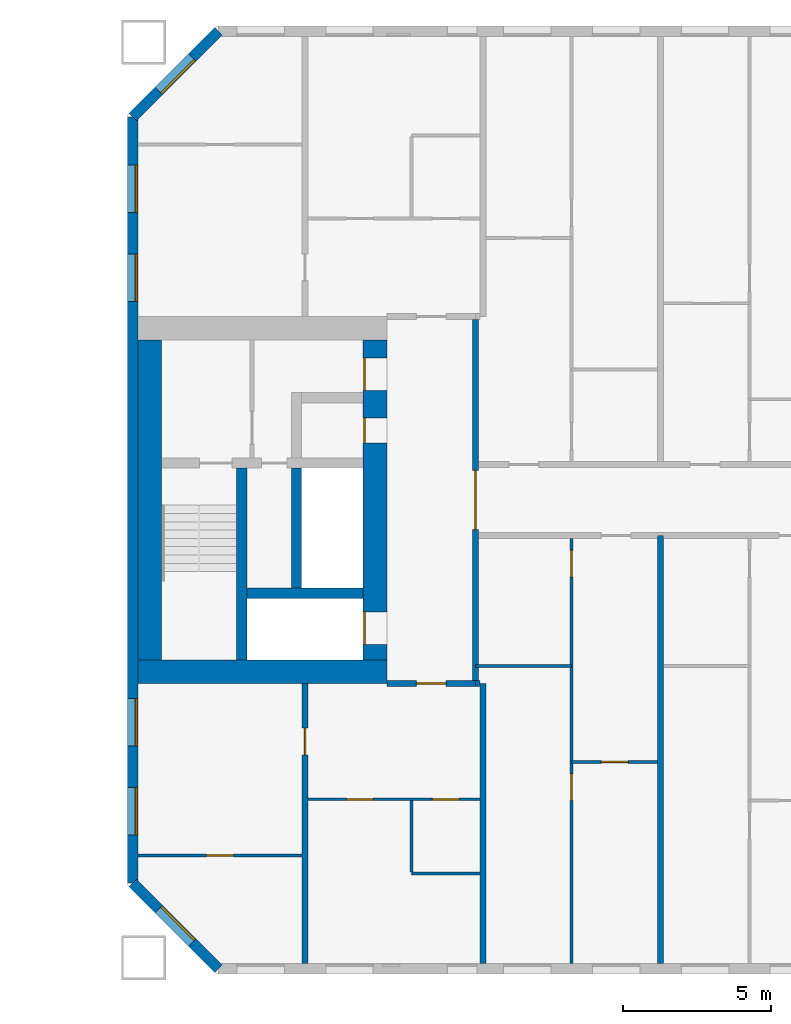
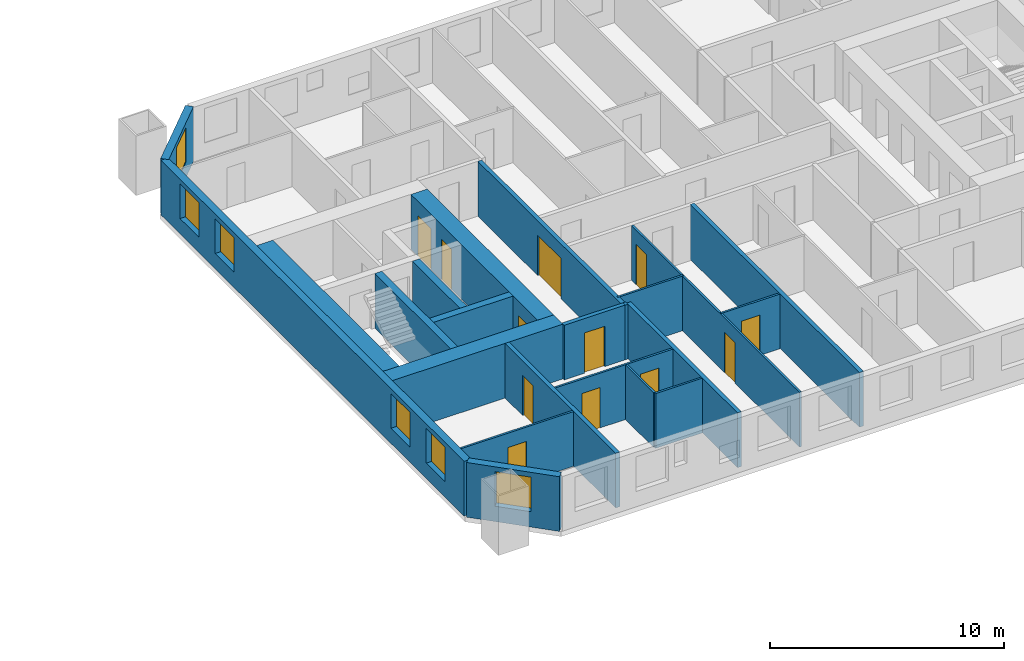
# One storey, part 9 of 17: 22 walls, 12 doors, 6 windows, 18 openings.
"""IFC4 building model written with IfcOpenShell, lengths in metres."""

from ifc_helpers import new_model, si_unit, direction, frame, frame_2d, origin, place, context, subcontext, project, spatial, rectangle, extrude, material, layer, layer_set, type_object, element, fill, save


model = new_model("IFC4")

# Units and contexts
model_context = context("Model", 3, precision=1e-05, world=origin(), true_north=direction((0.0, 1.0)))
body_context = subcontext(model_context, "Body", "Model", "MODEL_VIEW")
ifc_project = project(units=[si_unit("LENGTHUNIT", "METRE"), si_unit("AREAUNIT", "SQUARE_METRE"), si_unit("VOLUMEUNIT", "CUBIC_METRE"), si_unit("PLANEANGLEUNIT", "RADIAN"), si_unit("MASSUNIT", "GRAM", prefix="KILO")], contexts=[model_context])

# Site, building, storey
site_placement = place(None, origin())
site = spatial("IfcSite", under=ifc_project, at=site_placement, CompositionType="ELEMENT")
building_placement = place(site_placement, origin())
building = spatial("IfcBuilding", under=site, at=building_placement, Name="Tuart Gate Housing", CompositionType="ELEMENT")
storey_placement = place(building_placement, frame((0.0, 0.0, 50.5)))
storey = spatial("IfcBuildingStorey", under=building, at=storey_placement, Name="L13", CompositionType="ELEMENT", Elevation=50.5)

# Wall, opening, window
ifc_material_1 = material(Name="Brick", Category="masonry")
ifc_layer_1 = layer(ifc_material_1, 0.360107421875)
ifc_layer_set_1 = layer_set([ifc_layer_1], Name="Brick pier and spandrel wall 360")
wall_type_1 = type_object("IfcWallType", Name="Brick pier and spandrel wall 360", PredefinedType="STANDARD", material=ifc_layer_set_1)
wall_1_placement = place(storey_placement, frame((131.179931640625, 57.07470703125, 0.0), z_axis=(0.0, 0.0, 1.0), x_axis=(0.707106781187, -0.707106781187, 0.0)))
wall_1 = element("IfcWall", 1, at=wall_1_placement, inside=storey, type_object=wall_type_1, Name="External wall B-SW L13", PredefinedType="STANDARD", context=body_context, shape_type="SweptSolid", body=[
    extrude(rectangle(XDim=4.09375, YDim=0.360107421875, at=frame_2d((2.046875, 0.0))), origin(), (0.0, 0.0, 1.0), 2.85009765625),
])
opening_1_placement = place(wall_1_placement, frame((1.2470703125, 0.0, 0.800048828125)))
opening_1 = element("IfcOpeningElement", 2, at=opening_1_placement, cuts=wall_1, Name="Opening W1", PredefinedType="OPENING", context=body_context, shape_type="SweptSolid", body=[
    extrude(rectangle(XDim=1.60009765625, YDim=1.800048828125, at=frame_2d((0.800048828125, 0.89990234375))), frame((0.0, 0.18994140625, 0.0), z_axis=(0.0, -1.0, 0.0), x_axis=(1.0, 0.0, 0.0)), (0.0, 0.0, 1.0), 0.380126953125),
])
ifc_material_2 = material(Name="Aluminium frame with clear glass", Category="aluminium")
window_type = type_object("IfcWindowType", Name="Punched window 1600 x 1800", PartitioningType="SINGLE_PANEL", PredefinedType="WINDOW", material=ifc_material_2)
window_1_placement = place(opening_1_placement, origin())
window_1 = element("IfcWindow", 3, at=window_1_placement, inside=storey, type_object=window_type, Name="Window W1", OverallHeight=1.800048828125, OverallWidth=1.60009765625, PartitioningType="SINGLE_PANEL", PredefinedType="WINDOW", context=body_context, shape_type="SweptSolid", body=[
    extrude(rectangle(XDim=1.60009765625, YDim=1.800048828125, at=frame_2d((0.800048828125, 0.89990234375))), frame((0.0, 0.150146484375, 0.0), z_axis=(0.0, -1.0, 0.0), x_axis=(1.0, 0.0, 0.0)), (0.0, 0.0, 1.0), 0.06005859375),
])
fill(opening_1, window_1)

wall_2_placement = place(storey_placement, frame((134.07470703125, 85.820068359375, 0.0), z_axis=(0.0, 0.0, 1.0), x_axis=(-0.707106781187, -0.707106781187, 0.0)))
wall_2 = element("IfcWall", 4, at=wall_2_placement, inside=storey, type_object=wall_type_1, Name="External wall B-NW L13", PredefinedType="STANDARD", context=body_context, shape_type="SweptSolid", body=[
    extrude(rectangle(XDim=4.09375, YDim=0.360107421875, at=frame_2d((2.046875, 0.0))), origin(), (0.0, 0.0, 1.0), 2.85009765625),
])
opening_2_placement = place(wall_2_placement, frame((1.2470703125, 0.0, 0.800048828125)))
opening_2 = element("IfcOpeningElement", 5, at=opening_2_placement, cuts=wall_2, Name="Opening W1", PredefinedType="OPENING", context=body_context, shape_type="SweptSolid", body=[
    extrude(rectangle(XDim=1.60009765625, YDim=1.800048828125, at=frame_2d((0.800048828125, 0.89990234375))), frame((0.0, 0.18994140625, 0.0), z_axis=(0.0, -1.0, 0.0), x_axis=(1.0, 0.0, 0.0)), (0.0, 0.0, 1.0), 0.380126953125),
])
window_2_placement = place(opening_2_placement, origin())
window_2 = element("IfcWindow", 6, at=window_2_placement, inside=storey, type_object=window_type, Name="Window W1", OverallHeight=1.800048828125, OverallWidth=1.60009765625, PartitioningType="SINGLE_PANEL", PredefinedType="WINDOW", context=body_context, shape_type="SweptSolid", body=[
    extrude(rectangle(XDim=1.60009765625, YDim=1.800048828125, at=frame_2d((0.800048828125, 0.89990234375))), frame((0.0, 0.150146484375, 0.0), z_axis=(0.0, -1.0, 0.0), x_axis=(1.0, 0.0, 0.0)), (0.0, 0.0, 1.0), 0.06005859375),
])
fill(opening_2, window_2)

# Wall, openings, windows
wall_3_placement = place(storey_placement, frame((131.179931640625, 82.92529296875, 0.0), z_axis=(0.0, 0.0, 1.0), x_axis=(0.0, -1.0, 0.0)))
wall_3 = element("IfcWall", 7, at=wall_3_placement, inside=storey, type_object=wall_type_1, Name="External wall B-W L13", PredefinedType="STANDARD", context=body_context, shape_type="SweptSolid", body=[
    extrude(rectangle(XDim=25.850830078125, YDim=0.360107421875, at=frame_2d((12.92529296875, 0.0))), origin(), (0.0, 0.0, 1.0), 2.85009765625),
])
opening_3_placement = place(wall_3_placement, frame((1.62548828125, 0.0, 0.800048828125)))
opening_3 = element("IfcOpeningElement", 8, at=opening_3_placement, cuts=wall_3, Name="Opening W1", PredefinedType="OPENING", context=body_context, shape_type="SweptSolid", body=[
    extrude(rectangle(XDim=1.60009765625, YDim=1.800048828125, at=frame_2d((0.800048828125, 0.89990234375))), frame((0.0, 0.18994140625, 0.0), z_axis=(0.0, -1.0, 0.0), x_axis=(1.0, 0.0, 0.0)), (0.0, 0.0, 1.0), 0.380126953125),
])
opening_4_placement = place(wall_3_placement, frame((4.62548828125, 0.0, 0.800048828125)))
opening_4 = element("IfcOpeningElement", 9, at=opening_4_placement, cuts=wall_3, Name="Opening W1", PredefinedType="OPENING", context=body_context, shape_type="SweptSolid", body=[
    extrude(rectangle(XDim=1.60009765625, YDim=1.800048828125, at=frame_2d((0.800048828125, 0.89990234375))), frame((0.0, 0.18994140625, 0.0), z_axis=(0.0, -1.0, 0.0), x_axis=(1.0, 0.0, 0.0)), (0.0, 0.0, 1.0), 0.380126953125),
])
opening_5_placement = place(wall_3_placement, frame((19.62548828125, 0.0, 0.800048828125)))
opening_5 = element("IfcOpeningElement", 10, at=opening_5_placement, cuts=wall_3, Name="Opening W1", PredefinedType="OPENING", context=body_context, shape_type="SweptSolid", body=[
    extrude(rectangle(XDim=1.60009765625, YDim=1.800048828125, at=frame_2d((0.800048828125, 0.89990234375))), frame((0.0, 0.18994140625, 0.0), z_axis=(0.0, -1.0, 0.0), x_axis=(1.0, 0.0, 0.0)), (0.0, 0.0, 1.0), 0.380126953125),
])
opening_6_placement = place(wall_3_placement, frame((22.62548828125, 0.0, 0.800048828125)))
opening_6 = element("IfcOpeningElement", 11, at=opening_6_placement, cuts=wall_3, Name="Opening W1", PredefinedType="OPENING", context=body_context, shape_type="SweptSolid", body=[
    extrude(rectangle(XDim=1.60009765625, YDim=1.800048828125, at=frame_2d((0.800048828125, 0.89990234375))), frame((0.0, 0.18994140625, 0.0), z_axis=(0.0, -1.0, 0.0), x_axis=(1.0, 0.0, 0.0)), (0.0, 0.0, 1.0), 0.380126953125),
])
window_3_placement = place(opening_3_placement, origin())
window_3 = element("IfcWindow", 12, at=window_3_placement, inside=storey, type_object=window_type, Name="Window W1", OverallHeight=1.800048828125, OverallWidth=1.60009765625, PartitioningType="SINGLE_PANEL", PredefinedType="WINDOW", context=body_context, shape_type="SweptSolid", body=[
    extrude(rectangle(XDim=1.60009765625, YDim=1.800048828125, at=frame_2d((0.800048828125, 0.89990234375))), frame((0.0, 0.150146484375, 0.0), z_axis=(0.0, -1.0, 0.0), x_axis=(1.0, 0.0, 0.0)), (0.0, 0.0, 1.0), 0.06005859375),
])
fill(opening_3, window_3)
window_4_placement = place(opening_4_placement, origin())
window_4 = element("IfcWindow", 13, at=window_4_placement, inside=storey, type_object=window_type, Name="Window W1", OverallHeight=1.800048828125, OverallWidth=1.60009765625, PartitioningType="SINGLE_PANEL", PredefinedType="WINDOW", context=body_context, shape_type="SweptSolid", body=[
    extrude(rectangle(XDim=1.60009765625, YDim=1.800048828125, at=frame_2d((0.800048828125, 0.89990234375))), frame((0.0, 0.150146484375, 0.0), z_axis=(0.0, -1.0, 0.0), x_axis=(1.0, 0.0, 0.0)), (0.0, 0.0, 1.0), 0.06005859375),
])
fill(opening_4, window_4)
window_5_placement = place(opening_5_placement, origin())
window_5 = element("IfcWindow", 14, at=window_5_placement, inside=storey, type_object=window_type, Name="Window W1", OverallHeight=1.800048828125, OverallWidth=1.60009765625, PartitioningType="SINGLE_PANEL", PredefinedType="WINDOW", context=body_context, shape_type="SweptSolid", body=[
    extrude(rectangle(XDim=1.60009765625, YDim=1.800048828125, at=frame_2d((0.800048828125, 0.89990234375))), frame((0.0, 0.150146484375, 0.0), z_axis=(0.0, -1.0, 0.0), x_axis=(1.0, 0.0, 0.0)), (0.0, 0.0, 1.0), 0.06005859375),
])
fill(opening_5, window_5)
window_6_placement = place(opening_6_placement, origin())
window_6 = element("IfcWindow", 15, at=window_6_placement, inside=storey, type_object=window_type, Name="Window W1", OverallHeight=1.800048828125, OverallWidth=1.60009765625, PartitioningType="SINGLE_PANEL", PredefinedType="WINDOW", context=body_context, shape_type="SweptSolid", body=[
    extrude(rectangle(XDim=1.60009765625, YDim=1.800048828125, at=frame_2d((0.800048828125, 0.89990234375))), frame((0.0, 0.150146484375, 0.0), z_axis=(0.0, -1.0, 0.0), x_axis=(1.0, 0.0, 0.0)), (0.0, 0.0, 1.0), 0.06005859375),
])
fill(opening_6, window_6)

# Walls
ifc_material_3 = material(Name="Concrete C60", Category="concrete")
ifc_layer_2 = layer(ifc_material_3, 0.35009765625)
ifc_layer_set_2 = layer_set([ifc_layer_2], Name="Core wall 350 C60")
wall_type_2 = type_object("IfcWallType", Name="Core wall 350 C60", PredefinedType="SHEAR", material=ifc_layer_set_2)
wall_4_placement = place(storey_placement, frame((138.9599609375, 66.85009765625, 0.0), z_axis=(0.0, 0.0, 1.0), x_axis=(-1.0, 0.0, 0.0)))
element("IfcWall", 16, at=wall_4_placement, inside=storey, type_object=wall_type_2, Name="Core wall BG.1", PredefinedType="SHEAR", context=body_context, shape_type="SweptSolid", body=[
    extrude(rectangle(XDim=3.925048828125, YDim=0.35009765625, at=frame_2d((1.96240234375, 0.0))), origin(), (0.0, 0.0, 1.0), 2.85009765625),
])
wall_5_placement = place(storey_placement, frame((136.7099609375, 67.02490234375, 0.0), z_axis=(0.0, 0.0, 1.0), x_axis=(0.0, 1.0, 0.0)))
element("IfcWall", 17, at=wall_5_placement, inside=storey, type_object=wall_type_2, Name="Core wall BG.4", PredefinedType="SHEAR", context=body_context, shape_type="SweptSolid", body=[
    extrude(rectangle(XDim=4.050048828125, YDim=0.35009765625, at=frame_2d((2.02490234375, 0.0))), origin(), (0.0, 0.0, 1.0), 2.85009765625),
])
wall_6_placement = place(storey_placement, frame((134.860107421875, 64.60009765625, 0.0), z_axis=(0.0, 0.0, 1.0), x_axis=(0.0, 1.0, 0.0)))
element("IfcWall", 18, at=wall_6_placement, inside=storey, type_object=wall_type_2, Name="Core wall BG.7", PredefinedType="SHEAR", context=body_context, shape_type="SweptSolid", body=[
    extrude(rectangle(XDim=6.474853515625, YDim=0.35009765625, at=frame_2d((3.2373046875, 0.0))), origin(), (0.0, 0.0, 1.0), 2.85009765625),
])

# Wall, openings, doors
ifc_material_4 = material(Name="Concrete C60", Category="concrete")
ifc_layer_3 = layer(ifc_material_4, 0.800048828125)
ifc_layer_set_3 = layer_set([ifc_layer_3], Name="Core wall 800 C60")
wall_type_3 = type_object("IfcWallType", Name="Core wall 800 C60", PredefinedType="SHEAR", material=ifc_layer_set_3)
wall_7_placement = place(storey_placement, frame((139.360107421875, 64.60009765625, 0.0), z_axis=(0.0, 0.0, 1.0), x_axis=(0.0, 1.0, 0.0)))
wall_7 = element("IfcWall", 19, at=wall_7_placement, inside=storey, type_object=wall_type_3, Name="Core wall BG front", PredefinedType="SHEAR", context=body_context, shape_type="SweptSolid", body=[
    extrude(rectangle(XDim=10.7998046875, YDim=0.800048828125, at=frame_2d((5.39990234375, 0.0))), origin(), (0.0, 0.0, 1.0), 2.85009765625),
])
opening_7_placement = place(wall_7_placement, frame((0.52490234375, 0.0, 0.0)))
opening_7 = element("IfcOpeningElement", 20, at=opening_7_placement, cuts=wall_7, Name="Opening LD-FB1", PredefinedType="OPENING", context=body_context, shape_type="SweptSolid", body=[
    extrude(rectangle(XDim=1.10009765625, YDim=2.10009765625, at=frame_2d((0.550048828125, 1.050048828125))), frame((0.0, 0.409912109375, 0.0), z_axis=(0.0, -1.0, 0.0), x_axis=(1.0, 0.0, 0.0)), (0.0, 0.0, 1.0), 0.820068359375),
])
opening_8_placement = place(wall_7_placement, frame((9.10009765625, 0.0, 0.0)))
opening_8 = element("IfcOpeningElement", 21, at=opening_8_placement, cuts=wall_7, Name="Opening D682", PredefinedType="OPENING", context=body_context, shape_type="SweptSolid", body=[
    extrude(rectangle(XDim=1.10009765625, YDim=2.10009765625, at=frame_2d((0.550048828125, 1.050048828125))), frame((0.0, 0.409912109375, 0.0), z_axis=(0.0, -1.0, 0.0), x_axis=(1.0, 0.0, 0.0)), (0.0, 0.0, 1.0), 0.820068359375),
])
opening_9_placement = place(wall_7_placement, frame((7.324951171875, 0.0, 0.0)))
opening_9 = element("IfcOpeningElement", 22, at=opening_9_placement, cuts=wall_7, Name="Opening D683", PredefinedType="OPENING", context=body_context, shape_type="SweptSolid", body=[
    extrude(rectangle(XDim=0.85009765625, YDim=2.10009765625, at=frame_2d((0.425048828125, 1.050048828125))), frame((0.0, 0.409912109375, 0.0), z_axis=(0.0, -1.0, 0.0), x_axis=(1.0, 0.0, 0.0)), (0.0, 0.0, 1.0), 0.820068359375),
])
ifc_material_5 = material(Name="Stainless steel", Category="steel")
door_type_1 = type_object("IfcDoorType", Name="Landing door 1100 x 2100", OperationType="DOUBLE_DOOR_SLIDING", PredefinedType="DOOR", material=ifc_material_5)
door_1_placement = place(opening_7_placement, origin())
door_1 = element("IfcDoor", 23, at=door_1_placement, inside=storey, type_object=door_type_1, Name="Lift landing door FB1", OperationType="DOUBLE_DOOR_SLIDING", OverallHeight=2.10009765625, OverallWidth=1.10009765625, PredefinedType="DOOR", context=body_context, shape_type="SweptSolid", body=[
    extrude(rectangle(XDim=1.10009765625, YDim=2.10009765625, at=frame_2d((0.550048828125, 1.050048828125))), frame((0.0, 0.38525390625, 0.0), z_axis=(0.0, -1.0, 0.0), x_axis=(1.0, 0.0, 0.0)), (0.0, 0.0, 1.0), 0.050048828125),
])
fill(opening_7, door_1)
ifc_material_6 = material(Name="Steel fire door", Category="steel")
door_type_2 = type_object("IfcDoorType", Name="Lobby door 1100 x 2100", OperationType="SINGLE_SWING_LEFT", PredefinedType="DOOR", material=ifc_material_6)
door_2_placement = place(opening_8_placement, origin())
door_2 = element("IfcDoor", 24, at=door_2_placement, inside=storey, type_object=door_type_2, Name="Lobby entry door BG.EN", OperationType="SINGLE_SWING_LEFT", OverallHeight=2.10009765625, OverallWidth=1.10009765625, PredefinedType="DOOR", context=body_context, shape_type="SweptSolid", body=[
    extrude(rectangle(XDim=1.10009765625, YDim=2.10009765625, at=frame_2d((0.550048828125, 1.050048828125))), frame((0.0, 0.38525390625, 0.0), z_axis=(0.0, -1.0, 0.0), x_axis=(1.0, 0.0, 0.0)), (0.0, 0.0, 1.0), 0.050048828125),
])
fill(opening_8, door_2)
ifc_material_7 = material(Name="Steel fire door", Category="steel")
door_type_3 = type_object("IfcDoorType", Name="Service door 850 x 2100", OperationType="SINGLE_SWING_LEFT", PredefinedType="DOOR", material=ifc_material_7)
door_3_placement = place(opening_9_placement, origin())
door_3 = element("IfcDoor", 25, at=door_3_placement, inside=storey, type_object=door_type_3, Name="Service room door BG.T1", OperationType="SINGLE_SWING_LEFT", OverallHeight=2.10009765625, OverallWidth=0.85009765625, PredefinedType="DOOR", context=body_context, shape_type="SweptSolid", body=[
    extrude(rectangle(XDim=0.85009765625, YDim=2.10009765625, at=frame_2d((0.425048828125, 1.050048828125))), frame((0.0, 0.38525390625, 0.0), z_axis=(0.0, -1.0, 0.0), x_axis=(1.0, 0.0, 0.0)), (0.0, 0.0, 1.0), 0.050048828125),
])
fill(opening_9, door_3)

# Walls
wall_8_placement = place(storey_placement, frame((131.760009765625, 64.60009765625, 0.0), z_axis=(0.0, 0.0, 1.0), x_axis=(0.0, 1.0, 0.0)))
element("IfcWall", 26, at=wall_8_placement, inside=storey, type_object=wall_type_3, Name="Core wall BG back", PredefinedType="SHEAR", context=body_context, shape_type="SweptSolid", body=[
    extrude(rectangle(XDim=10.7998046875, YDim=0.800048828125, at=frame_2d((5.39990234375, 0.0))), origin(), (0.0, 0.0, 1.0), 2.85009765625),
])
wall_9_placement = place(storey_placement, frame((139.760009765625, 64.199951171875, 0.0), z_axis=(0.0, 0.0, 1.0), x_axis=(-1.0, 0.0, 0.0)))
element("IfcWall", 27, at=wall_9_placement, inside=storey, type_object=wall_type_3, Name="Core wall BG south", PredefinedType="SHEAR", context=body_context, shape_type="SweptSolid", body=[
    extrude(rectangle(XDim=8.39990234375, YDim=0.800048828125, at=frame_2d((4.199951171875, 0.0))), origin(), (0.0, 0.0, 1.0), 2.85009765625),
])

# Wall, opening, door
ifc_material_8 = material(Name="Concrete masonry 15 MPa", Category="masonry")
ifc_layer_4 = layer(ifc_material_8, 0.199951171875)
ifc_layer_set_4 = layer_set([ifc_layer_4], Name="Enclosure wall masonry 200")
wall_type_4 = type_object("IfcWallType", Name="Enclosure wall masonry 200", PredefinedType="PARTITIONING", material=ifc_layer_set_4)
wall_10_placement = place(storey_placement, frame((139.760009765625, 63.800048828125, 0.0), z_axis=(0.0, 0.0, 1.0), x_axis=(1.0, 0.0, 0.0)))
wall_10 = element("IfcWall", 28, at=wall_10_placement, inside=storey, type_object=wall_type_4, Name="Enclosure wall masonry 200", PredefinedType="PARTITIONING", context=body_context, shape_type="SweptSolid", body=[
    extrude(rectangle(XDim=3.0, YDim=0.199951171875, at=frame_2d((1.5, 0.0))), origin(), (0.0, 0.0, 1.0), 2.85009765625),
])
opening_10_placement = place(wall_10_placement, frame((1.0, 0.0, 0.0)))
opening_10 = element("IfcOpeningElement", 29, at=opening_10_placement, cuts=wall_10, Name="Opening D694", PredefinedType="OPENING", context=body_context, shape_type="SweptSolid", body=[
    extrude(rectangle(XDim=1.0, YDim=2.10009765625, at=frame_2d((0.5, 1.050048828125))), frame((0.0, 0.10986328125, 0.0), z_axis=(0.0, -1.0, 0.0), x_axis=(1.0, 0.0, 0.0)), (0.0, 0.0, 1.0), 0.219970703125),
])
ifc_material_9 = material(Name="Timber door leaf in steel frame", Category="steel")
door_type_4 = type_object("IfcDoorType", Name="Flat entrance door 1000", OperationType="SINGLE_SWING_LEFT", PredefinedType="DOOR", material=ifc_material_9)
door_4_placement = place(opening_10_placement, frame((1.0, 0.0, 0.0), z_axis=(0.0, 0.0, 1.0), x_axis=(-1.0, 0.0, 0.0)))
door_4 = element("IfcDoor", 30, at=door_4_placement, inside=storey, type_object=door_type_4, Name="Flat entrance door", OperationType="SINGLE_SWING_LEFT", OverallHeight=2.10009765625, OverallWidth=1.0, PredefinedType="DOOR", context=body_context, shape_type="SweptSolid", body=[
    extrude(rectangle(XDim=1.0, YDim=2.10009765625, at=frame_2d((0.5, 1.050048828125))), frame((0.0, 0.025146484375, 0.0), z_axis=(0.0, -1.0, 0.0), x_axis=(1.0, 0.0, 0.0)), (0.0, 0.0, 1.0), 0.050048828125),
])
fill(opening_10, door_4)

ifc_material_10 = material(Name="Plasterboard partition")
ifc_layer_5 = layer(ifc_material_10, 0.199951171875)
ifc_layer_set_5 = layer_set([ifc_layer_5], Name="Lobby wall 200")
wall_type_5 = type_object("IfcWallType", Name="Lobby wall 200", PredefinedType="PARTITIONING", material=ifc_layer_set_5)
wall_11_placement = place(storey_placement, frame((142.760009765625, 63.89990234375, 0.0), z_axis=(0.0, 0.0, 1.0), x_axis=(0.0, 1.0, 0.0)))
wall_11 = element("IfcWall", 31, at=wall_11_placement, inside=storey, type_object=wall_type_5, Name="Lift lobby wall BG", PredefinedType="PARTITIONING", context=body_context, shape_type="SweptSolid", body=[
    extrude(rectangle(XDim=12.2001953125, YDim=0.199951171875, at=frame_2d((6.10009765625, 0.0))), origin(), (0.0, 0.0, 1.0), 2.85009765625),
])
opening_11_placement = place(wall_11_placement, frame((5.10009765625, 0.0, 0.0)))
opening_11 = element("IfcOpeningElement", 32, at=opening_11_placement, cuts=wall_11, Name="Opening D684", PredefinedType="OPENING", context=body_context, shape_type="SweptSolid", body=[
    extrude(rectangle(XDim=2.0, YDim=2.10009765625, at=frame_2d((1.0, 1.050048828125))), frame((0.0, 0.10986328125, 0.0), z_axis=(0.0, -1.0, 0.0), x_axis=(1.0, 0.0, 0.0)), (0.0, 0.0, 1.0), 0.219970703125),
])
ifc_material_11 = material(Name="Steel fire door", Category="steel")
door_type_5 = type_object("IfcDoorType", Name="Smoke door 2000 x 2100", OperationType="DOUBLE_DOOR_SINGLE_SWING", PredefinedType="DOOR", material=ifc_material_11)
door_5_placement = place(opening_11_placement, origin())
door_5 = element("IfcDoor", 33, at=door_5_placement, inside=storey, type_object=door_type_5, Name="Lift lobby smoke door BG", OperationType="DOUBLE_DOOR_SINGLE_SWING", OverallHeight=2.10009765625, OverallWidth=2.0, PredefinedType="DOOR", context=body_context, shape_type="SweptSolid", body=[
    extrude(rectangle(XDim=2.0, YDim=2.10009765625, at=frame_2d((1.0, 1.050048828125))), frame((0.0, 0.02490234375, 0.0), z_axis=(0.0, -1.0, 0.0), x_axis=(1.0, 0.0, 0.0)), (0.0, 0.0, 1.0), 0.050048828125),
])
fill(opening_11, door_5)

# Wall
ifc_material_12 = material(Name="Gypsum board on steel studs", Category="steel")
ifc_layer_6 = layer(ifc_material_12, 0.10009765625)
ifc_layer_set_6 = layer_set([ifc_layer_6], Name="Partition 100")
wall_type_6 = type_object("IfcWallType", Name="Partition 100", PredefinedType="PARTITIONING", material=ifc_layer_set_6)
wall_12_placement = place(storey_placement, frame((140.60009765625, 57.39990234375, 0.0), z_axis=(0.0, 0.0, 1.0), x_axis=(1.0, 0.0, 0.0)))
element("IfcWall", 34, at=wall_12_placement, inside=storey, type_object=wall_type_6, Name="Partition 100", PredefinedType="PARTITIONING", context=body_context, shape_type="SweptSolid", body=[
    extrude(rectangle(XDim=2.2998046875, YDim=0.10009765625, at=frame_2d((1.14990234375, 0.0))), origin(), (0.0, 0.0, 1.0), 2.85009765625),
])

# Wall, opening, door
wall_13_placement = place(storey_placement, frame((131.360107421875, 58.0, 0.0), z_axis=(0.0, 0.0, 1.0), x_axis=(1.0, 0.0, 0.0)))
wall_13 = element("IfcWall", 35, at=wall_13_placement, inside=storey, type_object=wall_type_6, Name="Partition 100", PredefinedType="PARTITIONING", context=body_context, shape_type="SweptSolid", body=[
    extrude(rectangle(XDim=5.539794921875, YDim=0.10009765625, at=frame_2d((2.77001953125, 0.0))), origin(), (0.0, 0.0, 1.0), 2.85009765625),
])
opening_12_placement = place(wall_13_placement, frame((2.320068359375, 0.0, 0.0)))
opening_12 = element("IfcOpeningElement", 36, at=opening_12_placement, cuts=wall_13, Name="Opening D707", PredefinedType="OPENING", context=body_context, shape_type="SweptSolid", body=[
    extrude(rectangle(XDim=0.89990234375, YDim=2.10009765625, at=frame_2d((0.449951171875, 1.050048828125))), frame((0.0, 0.06005859375, 0.0), z_axis=(0.0, -1.0, 0.0), x_axis=(1.0, 0.0, 0.0)), (0.0, 0.0, 1.0), 0.1201171875),
])
ifc_material_13 = material(Name="Timber door leaf in steel frame", Category="steel")
door_type_6 = type_object("IfcDoorType", Name="Internal door 900 RH", OperationType="SINGLE_SWING_RIGHT", PredefinedType="DOOR", material=ifc_material_13)
door_6_placement = place(opening_12_placement, frame((0.89990234375, 0.0, 0.0), z_axis=(0.0, 0.0, 1.0), x_axis=(-1.0, 0.0, 0.0)))
door_6 = element("IfcDoor", 37, at=door_6_placement, inside=storey, type_object=door_type_6, Name="Internal door", OperationType="SINGLE_SWING_RIGHT", OverallHeight=2.10009765625, OverallWidth=0.89990234375, PredefinedType="DOOR", context=body_context, shape_type="SweptSolid", body=[
    extrude(rectangle(XDim=0.89990234375, YDim=2.10009765625, at=frame_2d((0.449951171875, 1.050048828125))), frame((0.0, 0.025146484375, 0.0), z_axis=(0.0, -1.0, 0.0), x_axis=(1.0, 0.0, 0.0)), (0.0, 0.0, 1.0), 0.050048828125),
])
fill(opening_12, door_6)

# Wall, openings, doors
wall_14_placement = place(storey_placement, frame((137.10009765625, 59.89990234375, 0.0), z_axis=(0.0, 0.0, 1.0), x_axis=(1.0, 0.0, 0.0)))
wall_14 = element("IfcWall", 38, at=wall_14_placement, inside=storey, type_object=wall_type_6, Name="Partition 100", PredefinedType="PARTITIONING", context=body_context, shape_type="SweptSolid", body=[
    extrude(rectangle(XDim=5.7998046875, YDim=0.10009765625, at=frame_2d((2.89990234375, 0.0))), origin(), (0.0, 0.0, 1.0), 2.85009765625),
])
opening_13_placement = place(wall_14_placement, frame((1.300048828125, 0.0, 0.0)))
opening_13 = element("IfcOpeningElement", 39, at=opening_13_placement, cuts=wall_14, Name="Opening D704", PredefinedType="OPENING", context=body_context, shape_type="SweptSolid", body=[
    extrude(rectangle(XDim=0.89990234375, YDim=2.10009765625, at=frame_2d((0.449951171875, 1.050048828125))), frame((0.0, 0.06005859375, 0.0), z_axis=(0.0, -1.0, 0.0), x_axis=(1.0, 0.0, 0.0)), (0.0, 0.0, 1.0), 0.1201171875),
])
opening_14_placement = place(wall_14_placement, frame((4.199951171875, 0.0, 0.0)))
opening_14 = element("IfcOpeningElement", 40, at=opening_14_placement, cuts=wall_14, Name="Opening D703", PredefinedType="OPENING", context=body_context, shape_type="SweptSolid", body=[
    extrude(rectangle(XDim=0.89990234375, YDim=2.10009765625, at=frame_2d((0.449951171875, 1.050048828125))), frame((0.0, 0.06005859375, 0.0), z_axis=(0.0, -1.0, 0.0), x_axis=(1.0, 0.0, 0.0)), (0.0, 0.0, 1.0), 0.1201171875),
])
ifc_material_14 = material(Name="Timber door leaf in steel frame", Category="steel")
door_type_7 = type_object("IfcDoorType", Name="Bathroom door 900 RH", OperationType="SINGLE_SWING_RIGHT", PredefinedType="DOOR", material=ifc_material_14)
door_7_placement = place(opening_14_placement, frame((0.89990234375, 0.0, 0.0), z_axis=(0.0, 0.0, 1.0), x_axis=(-1.0, 0.0, 0.0)))
door_7 = element("IfcDoor", 41, at=door_7_placement, inside=storey, type_object=door_type_7, Name="Bathroom door", OperationType="SINGLE_SWING_RIGHT", OverallHeight=2.10009765625, OverallWidth=0.89990234375, PredefinedType="DOOR", context=body_context, shape_type="SweptSolid", body=[
    extrude(rectangle(XDim=0.89990234375, YDim=2.10009765625, at=frame_2d((0.449951171875, 1.050048828125))), frame((0.0, 0.025146484375, 0.0), z_axis=(0.0, -1.0, 0.0), x_axis=(1.0, 0.0, 0.0)), (0.0, 0.0, 1.0), 0.050048828125),
])
fill(opening_14, door_7)
ifc_material_15 = material(Name="Timber door leaf in steel frame", Category="steel")
door_type_8 = type_object("IfcDoorType", Name="Internal door 900", OperationType="SINGLE_SWING_LEFT", PredefinedType="DOOR", material=ifc_material_15)
door_8_placement = place(opening_13_placement, frame((0.89990234375, 0.0, 0.0), z_axis=(0.0, 0.0, 1.0), x_axis=(-1.0, 0.0, 0.0)))
door_8 = element("IfcDoor", 42, at=door_8_placement, inside=storey, type_object=door_type_8, Name="Internal door", OperationType="SINGLE_SWING_LEFT", OverallHeight=2.10009765625, OverallWidth=0.89990234375, PredefinedType="DOOR", context=body_context, shape_type="SweptSolid", body=[
    extrude(rectangle(XDim=0.89990234375, YDim=2.10009765625, at=frame_2d((0.449951171875, 1.050048828125))), frame((0.0, 0.025146484375, 0.0), z_axis=(0.0, -1.0, 0.0), x_axis=(1.0, 0.0, 0.0)), (0.0, 0.0, 1.0), 0.050048828125),
])
fill(opening_13, door_8)

# Wall, opening, door
wall_15_placement = place(storey_placement, frame((146.0, 61.159912109375, 0.0), z_axis=(0.0, 0.0, 1.0), x_axis=(1.0, 0.0, 0.0)))
wall_15 = element("IfcWall", 43, at=wall_15_placement, inside=storey, type_object=wall_type_6, Name="Partition 100", PredefinedType="PARTITIONING", context=body_context, shape_type="SweptSolid", body=[
    extrude(rectangle(XDim=2.89990234375, YDim=0.10009765625, at=frame_2d((1.449951171875, 0.0))), origin(), (0.0, 0.0, 1.0), 2.85009765625),
])
opening_15_placement = place(wall_15_placement, frame((1.0, 0.0, 0.0)))
opening_15 = element("IfcOpeningElement", 44, at=opening_15_placement, cuts=wall_15, Name="Opening D702", PredefinedType="OPENING", context=body_context, shape_type="SweptSolid", body=[
    extrude(rectangle(XDim=0.89990234375, YDim=2.10009765625, at=frame_2d((0.449951171875, 1.050048828125))), frame((0.0, 0.06005859375, 0.0), z_axis=(0.0, -1.0, 0.0), x_axis=(1.0, 0.0, 0.0)), (0.0, 0.0, 1.0), 0.1201171875),
])
door_9_placement = place(opening_15_placement, origin())
door_9 = element("IfcDoor", 45, at=door_9_placement, inside=storey, type_object=door_type_8, Name="Internal door", OperationType="SINGLE_SWING_LEFT", OverallHeight=2.10009765625, OverallWidth=0.89990234375, PredefinedType="DOOR", context=body_context, shape_type="SweptSolid", body=[
    extrude(rectangle(XDim=0.89990234375, YDim=2.10009765625, at=frame_2d((0.449951171875, 1.050048828125))), frame((0.0, 0.02490234375, 0.0), z_axis=(0.0, -1.0, 0.0), x_axis=(1.0, 0.0, 0.0)), (0.0, 0.0, 1.0), 0.050048828125),
])
fill(opening_15, door_9)

# Walls
wall_16_placement = place(storey_placement, frame((142.760009765625, 64.39990234375, 0.0), z_axis=(0.0, 0.0, 1.0), x_axis=(1.0, 0.0, 0.0)))
element("IfcWall", 46, at=wall_16_placement, inside=storey, type_object=wall_type_6, Name="Partition 100", PredefinedType="PARTITIONING", context=body_context, shape_type="SweptSolid", body=[
    extrude(rectangle(XDim=3.239990234375, YDim=0.10009765625, at=frame_2d((1.6201171875, 0.0))), origin(), (0.0, 0.0, 1.0), 2.85009765625),
])
wall_17_placement = place(storey_placement, frame((140.60009765625, 57.449951171875, 0.0), z_axis=(0.0, 0.0, 1.0), x_axis=(0.0, 1.0, 0.0)))
element("IfcWall", 47, at=wall_17_placement, inside=storey, type_object=wall_type_6, Name="Partition 100", PredefinedType="PARTITIONING", context=body_context, shape_type="SweptSolid", body=[
    extrude(rectangle(XDim=2.400146484375, YDim=0.10009765625, at=frame_2d((1.2001953125, 0.0))), origin(), (0.0, 0.0, 1.0), 2.85009765625),
])

# Wall, openings, doors
wall_18_placement = place(storey_placement, frame((146.0, 54.360107421875, 0.0), z_axis=(0.0, 0.0, 1.0), x_axis=(0.0, 1.0, 0.0)))
wall_18 = element("IfcWall", 48, at=wall_18_placement, inside=storey, type_object=wall_type_6, Name="Partition 100", PredefinedType="PARTITIONING", context=body_context, shape_type="SweptSolid", body=[
    extrude(rectangle(XDim=14.33984375, YDim=0.10009765625, at=frame_2d((7.169921875, 0.0))), origin(), (0.0, 0.0, 1.0), 2.85009765625),
])
opening_16_placement = place(wall_18_placement, frame((5.5, 0.0, 0.0)))
opening_16 = element("IfcOpeningElement", 49, at=opening_16_placement, cuts=wall_18, Name="Opening D697", PredefinedType="OPENING", context=body_context, shape_type="SweptSolid", body=[
    extrude(rectangle(XDim=0.89990234375, YDim=2.10009765625, at=frame_2d((0.449951171875, 1.050048828125))), frame((0.0, 0.06005859375, 0.0), z_axis=(0.0, -1.0, 0.0), x_axis=(1.0, 0.0, 0.0)), (0.0, 0.0, 1.0), 0.1201171875),
])
opening_17_placement = place(wall_18_placement, frame((13.0400390625, 0.0, 0.0)))
opening_17 = element("IfcOpeningElement", 50, at=opening_17_placement, cuts=wall_18, Name="Opening D696", PredefinedType="OPENING", context=body_context, shape_type="SweptSolid", body=[
    extrude(rectangle(XDim=0.89990234375, YDim=2.10009765625, at=frame_2d((0.449951171875, 1.050048828125))), frame((0.0, 0.06005859375, 0.0), z_axis=(0.0, -1.0, 0.0), x_axis=(1.0, 0.0, 0.0)), (0.0, 0.0, 1.0), 0.1201171875),
])
door_10_placement = place(opening_17_placement, origin())
door_10 = element("IfcDoor", 51, at=door_10_placement, inside=storey, type_object=door_type_7, Name="Bathroom door", OperationType="SINGLE_SWING_RIGHT", OverallHeight=2.10009765625, OverallWidth=0.89990234375, PredefinedType="DOOR", context=body_context, shape_type="SweptSolid", body=[
    extrude(rectangle(XDim=0.89990234375, YDim=2.10009765625, at=frame_2d((0.449951171875, 1.050048828125))), frame((0.0, 0.02490234375, 0.0), z_axis=(0.0, -1.0, 0.0), x_axis=(1.0, 0.0, 0.0)), (0.0, 0.0, 1.0), 0.050048828125),
])
fill(opening_17, door_10)
door_11_placement = place(opening_16_placement, origin())
door_11 = element("IfcDoor", 52, at=door_11_placement, inside=storey, type_object=door_type_6, Name="Internal door", OperationType="SINGLE_SWING_RIGHT", OverallHeight=2.10009765625, OverallWidth=0.89990234375, PredefinedType="DOOR", context=body_context, shape_type="SweptSolid", body=[
    extrude(rectangle(XDim=0.89990234375, YDim=2.10009765625, at=frame_2d((0.449951171875, 1.050048828125))), frame((0.0, 0.02490234375, 0.0), z_axis=(0.0, -1.0, 0.0), x_axis=(1.0, 0.0, 0.0)), (0.0, 0.0, 1.0), 0.050048828125),
])
fill(opening_16, door_11)

# Wall, opening, door
ifc_material_16 = material(Name="Concrete C40", Category="concrete")
ifc_layer_7 = layer(ifc_material_16, 0.199951171875)
ifc_layer_set_7 = layer_set([ifc_layer_7], Name="Party wall concrete C40 200")
wall_type_7 = type_object("IfcWallType", Name="Party wall concrete C40 200", PredefinedType="SOLIDWALL", material=ifc_layer_set_7)
wall_19_placement = place(storey_placement, frame((137.0, 54.360107421875, 0.0), z_axis=(0.0, 0.0, 1.0), x_axis=(0.0, 1.0, 0.0)))
wall_19 = element("IfcWall", 53, at=wall_19_placement, inside=storey, type_object=wall_type_7, Name="Party wall concrete C40 200", PredefinedType="SOLIDWALL", context=body_context, shape_type="SweptSolid", body=[
    extrude(rectangle(XDim=9.43994140625, YDim=0.199951171875, at=frame_2d((4.719970703125, 0.0))), origin(), (0.0, 0.0, 1.0), 2.85009765625),
])
opening_18_placement = place(wall_19_placement, frame((7.0400390625, 0.0, 0.0)))
opening_18 = element("IfcOpeningElement", 54, at=opening_18_placement, cuts=wall_19, Name="Opening D706", PredefinedType="OPENING", context=body_context, shape_type="SweptSolid", body=[
    extrude(rectangle(XDim=0.89990234375, YDim=2.10009765625, at=frame_2d((0.449951171875, 1.050048828125))), frame((0.0, 0.10986328125, 0.0), z_axis=(0.0, -1.0, 0.0), x_axis=(1.0, 0.0, 0.0)), (0.0, 0.0, 1.0), 0.219970703125),
])
door_12_placement = place(opening_18_placement, frame((0.89990234375, 0.0, 0.0), z_axis=(0.0, 0.0, 1.0), x_axis=(-1.0, 0.0, 0.0)))
door_12 = element("IfcDoor", 55, at=door_12_placement, inside=storey, type_object=door_type_6, Name="Internal door", OperationType="SINGLE_SWING_RIGHT", OverallHeight=2.10009765625, OverallWidth=0.89990234375, PredefinedType="DOOR", context=body_context, shape_type="SweptSolid", body=[
    extrude(rectangle(XDim=0.89990234375, YDim=2.10009765625, at=frame_2d((0.449951171875, 1.050048828125))), frame((0.0, 0.025146484375, 0.0), z_axis=(0.0, -1.0, 0.0), x_axis=(1.0, 0.0, 0.0)), (0.0, 0.0, 1.0), 0.050048828125),
])
fill(opening_18, door_12)

# Walls
wall_20_placement = place(storey_placement, frame((143.0, 54.360107421875, 0.0), z_axis=(0.0, 0.0, 1.0), x_axis=(0.0, 1.0, 0.0)))
element("IfcWall", 56, at=wall_20_placement, inside=storey, type_object=wall_type_7, Name="Party wall concrete C40 200", PredefinedType="SOLIDWALL", context=body_context, shape_type="SweptSolid", body=[
    extrude(rectangle(XDim=9.43994140625, YDim=0.199951171875, at=frame_2d((4.719970703125, 0.0))), origin(), (0.0, 0.0, 1.0), 2.85009765625),
])
wall_21_placement = place(storey_placement, frame((149.0, 54.360107421875, 0.0), z_axis=(0.0, 0.0, 1.0), x_axis=(0.0, 1.0, 0.0)))
element("IfcWall", 57, at=wall_21_placement, inside=storey, type_object=wall_type_7, Name="Party wall concrete C40 200", PredefinedType="SOLIDWALL", context=body_context, shape_type="SweptSolid", body=[
    extrude(rectangle(XDim=14.43994140625, YDim=0.199951171875, at=frame_2d((7.219970703125, 0.0))), origin(), (0.0, 0.0, 1.0), 2.85009765625),
])
ifc_material_17 = material(Name="Concrete masonry 15 MPa", Category="masonry")
ifc_layer_8 = layer(ifc_material_17, 0.199951171875)
ifc_layer_set_8 = layer_set([ifc_layer_8], Name="Party wall masonry 200")
wall_type_8 = type_object("IfcWallType", Name="Party wall masonry 200", PredefinedType="PARTITIONING", material=ifc_layer_set_8)
wall_22_placement = place(storey_placement, frame((142.760009765625, 63.800048828125, 0.0), z_axis=(0.0, 0.0, 1.0), x_axis=(1.0, 0.0, 0.0)))
element("IfcWall", 58, at=wall_22_placement, inside=storey, type_object=wall_type_8, Name="Party wall masonry 200", PredefinedType="PARTITIONING", context=body_context, shape_type="SweptSolid", body=[
    extrude(rectangle(XDim=0.139892578125, YDim=0.199951171875, at=frame_2d((0.06982421875, 0.0))), origin(), (0.0, 0.0, 1.0), 2.85009765625),
])

save(model, "model.ifc")
